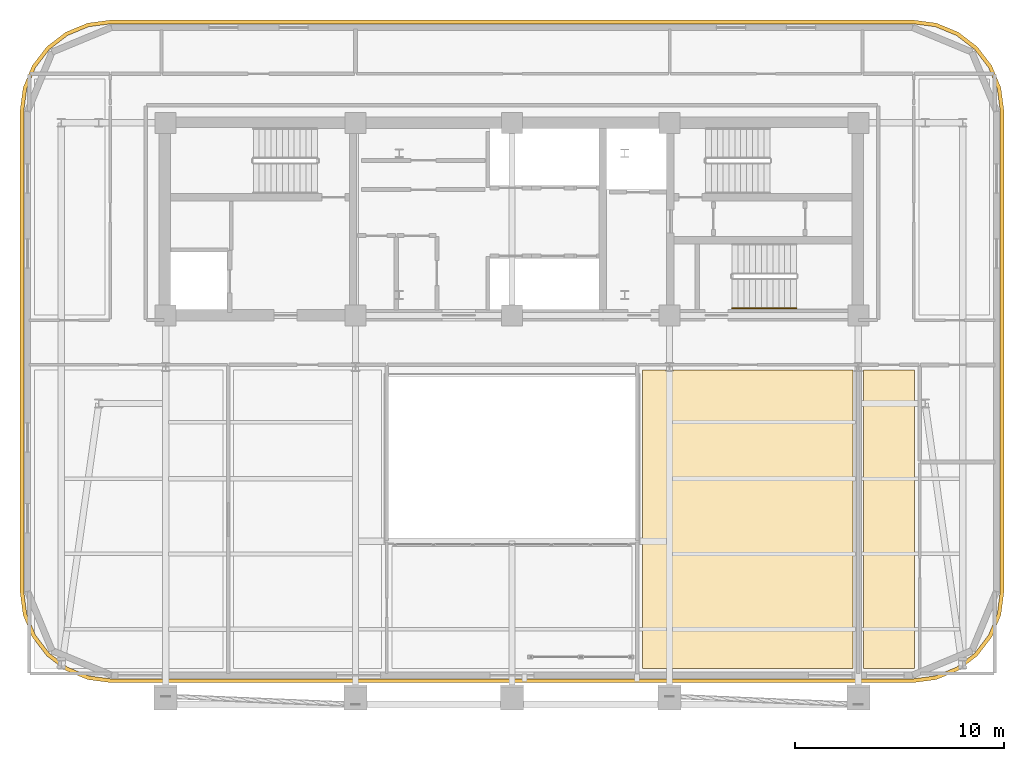
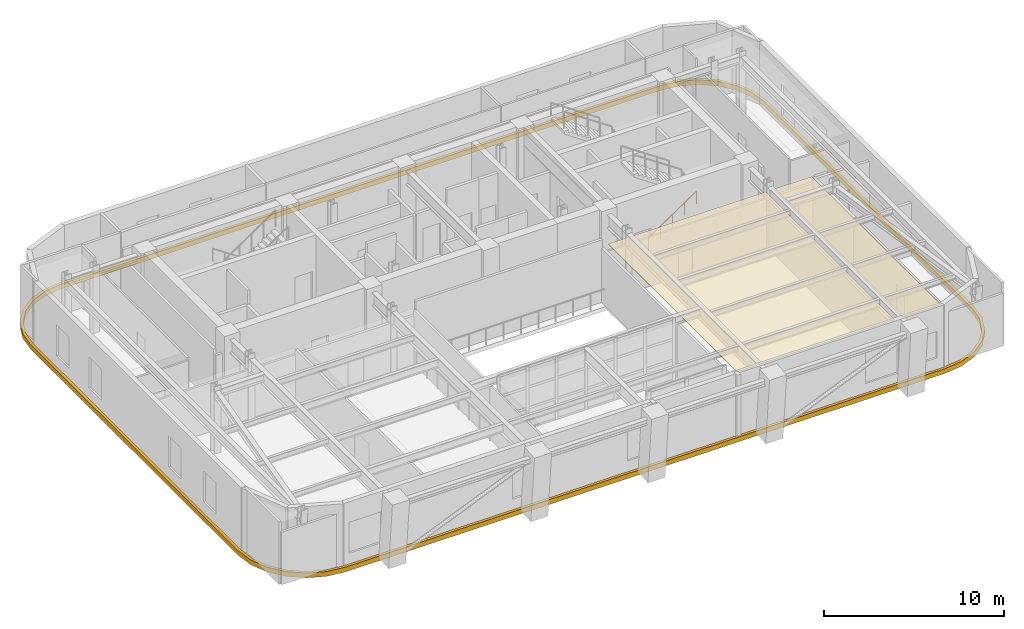
# One storey, part 12 of 13: 3 coverings, 1 railing.
"""IFC4 building model written with IfcOpenShell, lengths in metres."""

import ifcopenshell
import ifcopenshell.guid

model = None  # the IFC model being written
_history = None  # IfcOwnerHistory: only IFC2X3 demands one
_inside = {}  # id of a spatial element -> (the spatial element, [elements in it])
_under = {}  # id of a project, library or spatial element -> (it, [spatial elements below it])
_declared = {}  # id of a project -> (the project, [libraries it declares])
_typed = {}  # id of a type object -> (the type object, [elements of that type])
_made_of = {}  # id of a material, layer set ... -> (it, [elements and type objects made of it])


def new_model(schema):
    """Start an empty IFC model of exactly this schema.

    Asked for "IFC4X3", IfcOpenShell would pick the latest addendum, in which some entities
    have other attributes; the version numbers below select the first issue.
    IFC2X3 requires an IfcOwnerHistory on every rooted entity: one is made here for all.
    """
    global model, _history
    if schema == "IFC4X3":
        model = ifcopenshell.file(schema_version=(4, 3, 0, 0))
    else:
        model = ifcopenshell.file(schema=schema)
    _inside.clear()
    _under.clear()
    _declared.clear()
    _typed.clear()
    _made_of.clear()
    _history = None
    if model.schema == "IFC2X3":
        org = make("IfcOrganization", Name="unknown")
        user = make(
            "IfcPersonAndOrganization",
            ThePerson=make("IfcPerson", FamilyName="unknown"),
            TheOrganization=org,
        )
        app = make(
            "IfcApplication",
            ApplicationDeveloper=org,
            Version="unknown",
            ApplicationFullName="unknown",
            ApplicationIdentifier="unknown",
        )
        _history = make(
            "IfcOwnerHistory",
            OwningUser=user,
            OwningApplication=app,
            ChangeAction="ADDED",
            CreationDate=0,
        )
    return model


def make(cls, **values):
    """One entity of the class cls with the attributes given. An attribute that is None is left unset."""
    return model.create_entity(
        cls, **{name: value for name, value in values.items() if value is not None}
    )


def rooted(cls, **values):
    """An entity with a GlobalId (a new one), such as an element, a storey or a relation."""
    return make(cls, GlobalId=ifcopenshell.guid.new(), OwnerHistory=_history, **values)


def si_unit(unit_type, name, prefix=None):
    """IfcSIUnit, for example si_unit("LENGTHUNIT", "METRE", prefix="MILLI")."""
    return make("IfcSIUnit", UnitType=unit_type, Prefix=prefix, Name=name)


def assignment(units):
    """IfcUnitAssignment: the units of a project."""
    return None if units is None else make("IfcUnitAssignment", Units=units)


def point(xyz):
    """IfcCartesianPoint."""
    return None if xyz is None else make("IfcCartesianPoint", Coordinates=xyz)


def direction(xyz):
    """IfcDirection."""
    return None if xyz is None else make("IfcDirection", DirectionRatios=xyz)


def frame(location, z_axis=None, x_axis=None):
    """IfcAxis2Placement3D, a coordinate frame: its origin and axes. An axis left out is left unset."""
    return make(
        "IfcAxis2Placement3D",
        Location=point(location),
        Axis=direction(z_axis),
        RefDirection=direction(x_axis),
    )


def frame_2d(location, x_axis=None):
    """IfcAxis2Placement2D, a coordinate frame in the plane: its origin and x axis."""
    return make(
        "IfcAxis2Placement2D", Location=point(location), RefDirection=direction(x_axis)
    )


def origin():
    """The frame at (0, 0, 0) with its axes left unset."""
    return frame((0.0, 0.0, 0.0))


def origin_2d():
    """The frame at (0, 0) in the plane with its x axis left unset."""
    return frame_2d((0.0, 0.0))


def place(relative_to, where):
    """IfcLocalPlacement: puts the frame where relative to a parent placement (None: the world)."""
    return make(
        "IfcLocalPlacement", PlacementRelTo=relative_to, RelativePlacement=where
    )


def context(
    kind, dimensions, precision=None, world=None, true_north=None, identifier=None
):
    """IfcGeometricRepresentationContext, for example the 3D "Model" context."""
    return make(
        "IfcGeometricRepresentationContext",
        ContextIdentifier=identifier,
        ContextType=kind,
        CoordinateSpaceDimension=dimensions,
        Precision=precision,
        WorldCoordinateSystem=world,
        TrueNorth=true_north,
    )


def subcontext(parent, identifier, kind, view, scale=None):
    """IfcGeometricRepresentationSubContext, for example "Body" below "Model"."""
    return make(
        "IfcGeometricRepresentationSubContext",
        ContextIdentifier=identifier,
        ContextType=kind,
        ParentContext=parent,
        TargetScale=scale,
        TargetView=view,
    )


def project(units=None, contexts=None):
    """IfcProject with its units and contexts."""
    return rooted(
        "IfcProject",
        Name="project",
        RepresentationContexts=contexts,
        UnitsInContext=assignment(units),
    )


def spatial(cls, under=None, at=None, **own):
    """A site, building, storey or space (cls), placed at a placement, below another one or the project."""
    s = rooted(cls, ObjectPlacement=at, **own)
    if under is not None:
        _under.setdefault(under.id(), (under, []))[1].append(s)
    return s


def polyline(points):
    """IfcPolyline through the points."""
    return make("IfcPolyline", Points=[point(p) for p in points])


def profile(cls, at=None, kind="AREA", **sizes):
    """A parametric profile (cls). Its sizes go by their IFC names, for example OverallWidth=200.0."""
    return make(cls, ProfileType=kind, Position=at, **sizes)


def rectangle(**sizes):
    """IfcRectangleProfileDef."""
    return profile("IfcRectangleProfileDef", **sizes)


def outline(outer, holes=None, kind="AREA"):
    """IfcArbitraryClosedProfileDef: a profile drawn as a closed curve; with holes, ...WithVoids."""
    if holes is None:
        return make("IfcArbitraryClosedProfileDef", ProfileType=kind, OuterCurve=outer)
    return make(
        "IfcArbitraryProfileDefWithVoids",
        ProfileType=kind,
        OuterCurve=outer,
        InnerCurves=holes,
    )


def extrude(swept, where, along, depth):
    """IfcExtrudedAreaSolid: the profile swept, set in the frame where, extruded along a direction by depth."""
    return make(
        "IfcExtrudedAreaSolid",
        SweptArea=swept,
        Position=where,
        ExtrudedDirection=direction(along),
        Depth=depth,
    )


def shape(context_of_items, identifier, shape_type, items):
    """IfcShapeRepresentation: the items that make up one representation, for example the "Body"."""
    return make(
        "IfcShapeRepresentation",
        ContextOfItems=context_of_items,
        RepresentationIdentifier=identifier,
        RepresentationType=shape_type,
        Items=items,
    )


def material(Name=None, Category=None):
    """IfcMaterial."""
    return make("IfcMaterial", Name=Name, Category=Category)


def layer(
    of_material, thickness, ventilated=None, Name=None, Category=None, Priority=None
):
    """IfcMaterialLayer: one layer of a wall or slab, of a material (None: an air gap)."""
    return make(
        "IfcMaterialLayer",
        Material=of_material,
        LayerThickness=thickness,
        IsVentilated=ventilated,
        Name=Name,
        Category=Category,
        Priority=Priority,
    )


def layer_set(layers, Name=None):
    """IfcMaterialLayerSet."""
    return make("IfcMaterialLayerSet", MaterialLayers=layers, LayerSetName=Name)


def made_of(thing, what):
    """Note that an element or type object is made of a material, layer set ...; save() writes the relation."""
    if what is not None:
        _made_of.setdefault(what.id(), (what, []))[1].append(thing)
    return thing


def type_object(cls, material=None, **own):
    """A type object (cls), such as IfcWallType, which elements share."""
    return made_of(rooted(cls, **own), material)


def element(
    cls,
    number,
    at=None,
    inside=None,
    cuts=None,
    type_object=None,
    material=None,
    context=None,
    identifier="Body",
    shape_type=None,
    held_by="IfcProductDefinitionShape",
    body=None,
    shapes=None,
    **own,
):
    """One element of the class cls, such as IfcWall. Its Tag is "e" and its number.

    at: its placement. inside: the storey or other place that contains it. cuts: it is an
    opening in that element (IfcRelVoidsElement). A single representation is given by context,
    identifier, shape_type and body (its items); several are given by shapes. held_by: the class
    of the entity that holds the representations. save() writes the other relations.
    """
    e = rooted(cls, Tag="e%d" % number, ObjectPlacement=at, **own)
    if body is not None:
        shapes = [shape(context, identifier, shape_type, body)]
    if shapes is not None:
        e.Representation = make(held_by, Representations=shapes)
    if inside is not None:
        _inside.setdefault(inside.id(), (inside, []))[1].append(e)
    if cuts is not None:
        rooted(
            "IfcRelVoidsElement", RelatingBuildingElement=cuts, RelatedOpeningElement=e
        )
    if type_object is not None:
        _typed.setdefault(type_object.id(), (type_object, []))[1].append(e)
    return made_of(e, material)


def aggregate(whole, parts):
    """IfcRelAggregates: a whole, such as a stair, and the parts it consists of."""
    return rooted("IfcRelAggregates", RelatingObject=whole, RelatedObjects=parts)


def save(model, path):
    """Write the relations noted so far, then the file.

    IfcRelAggregates (storeys below a building ...), IfcRelContainedInSpatialStructure (elements
    in a storey), IfcRelDefinesByType, IfcRelAssociatesMaterial and IfcRelDeclares: one each for
    every whole, place, type object, material and project.
    """
    for whole, parts in _under.values():
        aggregate(whole, parts)
    for where, things in _inside.values():
        rooted(
            "IfcRelContainedInSpatialStructure",
            RelatedElements=things,
            RelatingStructure=where,
        )
    for kind, things in _typed.values():
        rooted("IfcRelDefinesByType", RelatedObjects=things, RelatingType=kind)
    for what, things in _made_of.values():
        rooted("IfcRelAssociatesMaterial", RelatedObjects=things, RelatingMaterial=what)
    for by, libraries in _declared.values():
        rooted("IfcRelDeclares", RelatingContext=by, RelatedDefinitions=libraries)
    model.write(path)


model = new_model("IFC4")

# Units and contexts
model_context = context("Model", 3, precision=1e-05, world=origin(), true_north=direction((0.0, 1.0)))
body_context = subcontext(model_context, "Body", "Model", "MODEL_VIEW")
ifc_project = project(units=[si_unit("LENGTHUNIT", "METRE"), si_unit("AREAUNIT", "SQUARE_METRE"), si_unit("VOLUMEUNIT", "CUBIC_METRE"), si_unit("PLANEANGLEUNIT", "RADIAN"), si_unit("MASSUNIT", "GRAM", prefix="KILO")], contexts=[model_context])

# Site, building, storey
site_placement = place(None, origin())
site = spatial("IfcSite", under=ifc_project, at=site_placement, CompositionType="ELEMENT")
building_placement = place(site_placement, origin())
building = spatial("IfcBuilding", under=site, at=building_placement, Name="Zarnavel Station Tower", CompositionType="ELEMENT")
storey_placement = place(building_placement, frame((0.0, 0.0, 183.85009765625)))
storey = spatial("IfcBuildingStorey", under=building, at=storey_placement, Name="L50", CompositionType="ELEMENT", Elevation=183.85009765625)

# Coverings
ifc_material_1 = material(Name="Perforated Gypsum and Mineral-Wool Acoustic Ceiling", Category="concrete")
ifc_layer = layer(ifc_material_1, 0.0400390625)
ifc_layer_set = layer_set([ifc_layer], Name="COV_CEIL_ACOUSTIC")
covering_type_1 = type_object("IfcCoveringType", Name="COV_CEIL_ACOUSTIC", PredefinedType="CEILING", material=ifc_layer_set)
covering_1_placement = place(storey_placement, frame((0.0, 0.0, 3.909912109375)))
element("IfcCovering", 1, at=covering_1_placement, inside=storey, type_object=covering_type_1, Name="L50 SLSAL Acoustic Ceiling", PredefinedType="CEILING", context=body_context, shape_type="SweptSolid", body=[
    extrude(outline(polyline([(35.050048828125, 10.909912109375), (45.14990234375, 10.909912109375), (45.14990234375, 25.199951171875), (35.050048828125, 25.199951171875), (35.050048828125, 10.909912109375)])), origin(), (0.0, 0.0, 1.0), 0.0400390625),
])
covering_2_placement = place(storey_placement, frame((0.0, 0.0, 3.909912109375)))
element("IfcCovering", 2, at=covering_2_placement, inside=storey, type_object=covering_type_1, Name="L50 SLCON Acoustic Ceiling", PredefinedType="CEILING", context=body_context, shape_type="SweptSolid", body=[
    extrude(outline(polyline([(45.64990234375, 10.909912109375), (48.090087890625, 10.909912109375), (48.090087890625, 25.199951171875), (45.64990234375, 25.199951171875), (45.64990234375, 10.909912109375)])), origin(), (0.0, 0.0, 1.0), 0.0400390625),
])
ifc_material_2 = material(Name="Precast concrete C45/55 (Pale Travertine Slab Band)", Category="masonry")
covering_type_2 = type_object("IfcCoveringType", Name="COV_TRAVERTINE_BAND", PredefinedType="CLADDING", material=ifc_material_2)
covering_3_placement = place(storey_placement, frame((0.0, 0.0, -0.260009765625)))
element("IfcCovering", 3, at=covering_3_placement, inside=storey, type_object=covering_type_2, Name="L50 Pale Travertine Slab-Edge Band", PredefinedType="CLADDING", context=body_context, shape_type="SweptSolid", body=[
    extrude(outline(polyline([(48.0, 10.219970703125), (49.133544921875, 10.369140625), (50.18994140625, 10.806884765625), (51.09716796875, 11.5029296875), (51.793212890625, 12.409912109375), (52.230712890625, 13.46630859375), (52.3798828125, 14.60009765625), (52.3798828125, 37.60009765625), (52.230712890625, 38.733642578125), (51.793212890625, 39.7900390625), (51.09716796875, 40.697021484375), (50.18994140625, 41.393310546875), (49.133544921875, 41.830810546875), (48.0, 41.97998046875), (9.60009765625, 41.97998046875), (8.46630859375, 41.830810546875), (7.409912109375, 41.393310546875), (6.5029296875, 40.697021484375), (5.806884765625, 39.7900390625), (5.369140625, 38.733642578125), (5.219970703125, 37.60009765625), (5.219970703125, 14.60009765625), (5.369140625, 13.46630859375), (5.806884765625, 12.409912109375), (6.5029296875, 11.5029296875), (7.409912109375, 10.806884765625), (8.46630859375, 10.369140625), (9.60009765625, 10.219970703125), (48.0, 10.219970703125)]), holes=[polyline([(48.0, 10.39990234375), (49.0869140625, 10.543212890625), (50.10009765625, 10.962646484375), (50.9697265625, 11.630126953125), (51.63720703125, 12.5), (52.056884765625, 13.512939453125), (52.199951171875, 14.60009765625), (52.199951171875, 37.60009765625), (52.056884765625, 38.68701171875), (51.63720703125, 39.699951171875), (50.9697265625, 40.56982421875), (50.10009765625, 41.2373046875), (49.0869140625, 41.656982421875), (48.0, 41.800048828125), (9.60009765625, 41.800048828125), (8.512939453125, 41.656982421875), (7.5, 41.2373046875), (6.630126953125, 40.56982421875), (5.962646484375, 39.699951171875), (5.543212890625, 38.68701171875), (5.39990234375, 37.60009765625), (5.39990234375, 14.60009765625), (5.543212890625, 13.512939453125), (5.962646484375, 12.5), (6.630126953125, 11.630126953125), (7.5, 10.962646484375), (8.512939453125, 10.543212890625), (9.60009765625, 10.39990234375), (48.0, 10.39990234375)])]), origin(), (0.0, 0.0, 1.0), 0.31982421875),
])

# Railing
ifc_material_3 = material(Name="Brushed Stainless Steel S355J2 Handrail", Category="steel")
railing_type = type_object("IfcRailingType", Name="HR_STAIR_900", PredefinedType="HANDRAIL", material=ifc_material_3)
railing_placement = place(storey_placement, frame((39.35009765625, 28.169921875, 0.189453125)))
element("IfcRailing", 4, at=railing_placement, inside=storey, type_object=railing_type, Name="L50 ST3 stair handrail 1", PredefinedType="HANDRAIL", context=body_context, shape_type="SweptSolid", body=[
    extrude(rectangle(XDim=0.048095703125, YDim=0.048095703125, at=origin_2d()), frame((0.001708984375, 0.0, 0.876953125), z_axis=(0.828029772803, 0.0, 0.560684131532), x_axis=(0.0, 1.0, 0.0)), (0.0, 0.0, 1.0), 3.715576171875),
    extrude(rectangle(XDim=0.0419921875, YDim=0.0419921875, at=origin_2d()), origin(), (0.0, 0.0, 1.0), 0.851806640625),
    extrude(rectangle(XDim=0.0419921875, YDim=0.0419921875, at=origin_2d()), frame((0.77001953125, 0.0, 0.521484375)), (0.0, 0.0, 1.0), 0.851806640625),
    extrude(rectangle(XDim=0.0419921875, YDim=0.0419921875, at=origin_2d()), frame((1.5400390625, 0.0, 1.042724609375)), (0.0, 0.0, 1.0), 0.851806640625),
    extrude(rectangle(XDim=0.0419921875, YDim=0.0419921875, at=origin_2d()), frame((2.309814453125, 0.0, 1.56396484375)), (0.0, 0.0, 1.0), 0.851806640625),
    extrude(rectangle(XDim=0.0419921875, YDim=0.0419921875, at=origin_2d()), frame((3.079833984375, 0.0, 2.08544921875)), (0.0, 0.0, 1.0), 0.851806640625),
])

save(model, "model.ifc")
